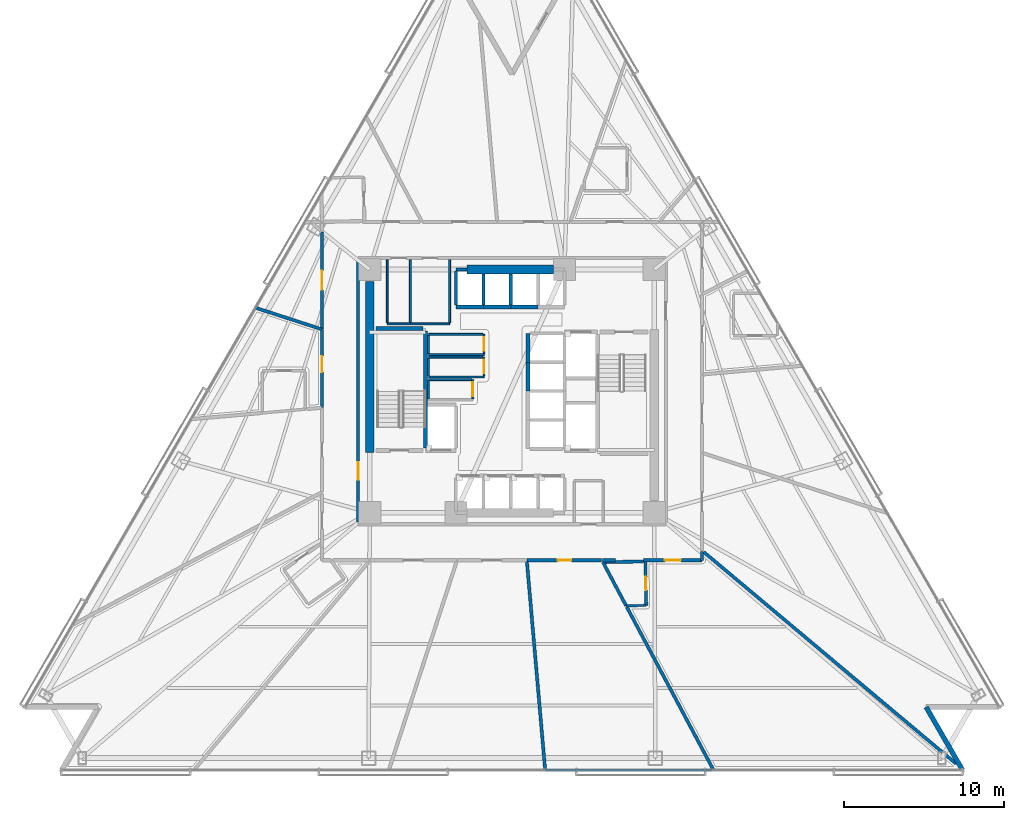
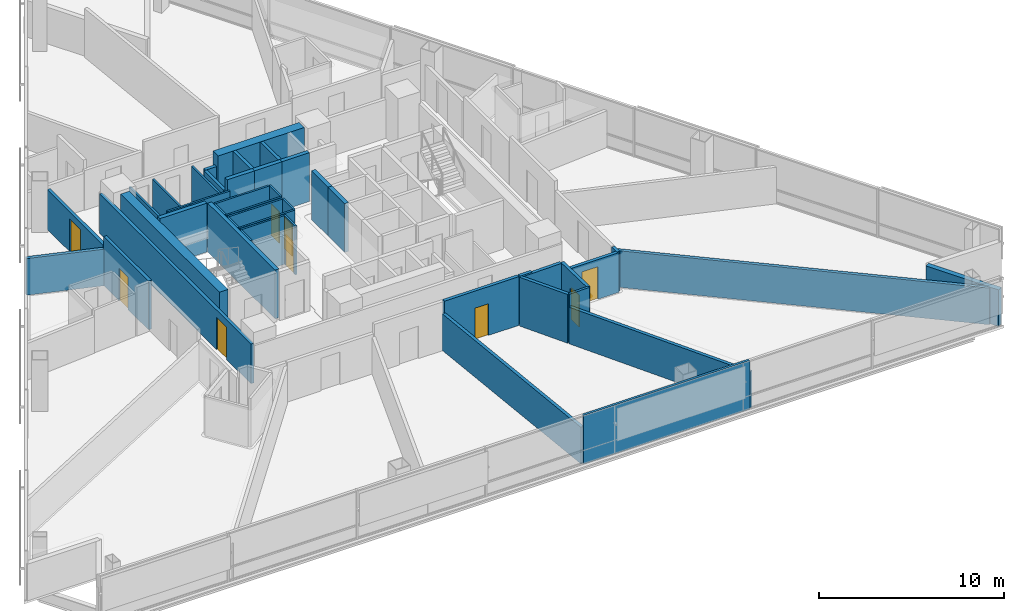
# One storey, part 8 of 18: 46 walls, 9 doors, 9 openings.
"""IFC4 building model written with IfcOpenShell, lengths in metres."""

from ifc_helpers import new_model, si_unit, direction, frame, frame_2d, origin, place, context, subcontext, project, spatial, rectangle, extrude, material, layer, layer_set, type_object, element, fill, save


model = new_model("IFC4")

# Units and contexts
model_context = context("Model", 3, precision=1e-05, world=origin(), true_north=direction((0.0, 1.0)))
body_context = subcontext(model_context, "Body", "Model", "MODEL_VIEW")
ifc_project = project(units=[si_unit("LENGTHUNIT", "METRE"), si_unit("AREAUNIT", "SQUARE_METRE"), si_unit("VOLUMEUNIT", "CUBIC_METRE"), si_unit("PLANEANGLEUNIT", "RADIAN"), si_unit("MASSUNIT", "GRAM", prefix="KILO")], contexts=[model_context])

# Site, building, storey
site_placement = place(None, origin())
site = spatial("IfcSite", under=ifc_project, at=site_placement, CompositionType="ELEMENT")
building_placement = place(site_placement, origin())
building = spatial("IfcBuilding", under=site, at=building_placement, Name="Tharavind Bronze Gate", CompositionType="ELEMENT")
storey_placement = place(building_placement, frame((0.0, 0.0, 38.64990234375)))
storey = spatial("IfcBuildingStorey", under=building, at=storey_placement, Name="L08", CompositionType="ELEMENT", Elevation=38.64990234375)

# Wall
ifc_material_1 = material(Name="Concrete C40/50", Category="concrete")
ifc_layer_1 = layer(ifc_material_1, 0.300048828125)
ifc_layer_set_1 = layer_set([ifc_layer_1], Name="Concrete C40/50")
wall_type_1 = type_object("IfcWallType", Name="EXTERIOR SPANDREL WALL 300", PredefinedType="STANDARD", material=ifc_layer_set_1)
wall_1_placement = place(storey_placement, frame((28.17578125, -23.699951171875, 0.0), z_axis=(0.0, 0.0, 1.0), x_axis=(-0.500014431597, 0.866017071537, 0.0)))
element("IfcWall", 1, at=wall_1_placement, inside=storey, type_object=wall_type_1, Name="L08 notch cheek wall 3A", PredefinedType="STANDARD", context=body_context, shape_type="SweptSolid", body=[
    extrude(rectangle(XDim=4.559814453125, YDim=0.300048828125, at=frame_2d((2.27978515625, 0.0))), origin(), (0.0, 0.0, 1.0), 2.420166015625),
])

# Wall, opening, door
ifc_material_2 = material(Name="Aerated Concrete Block", Category="concrete")
ifc_layer_2 = layer(ifc_material_2, 0.199951171875)
ifc_layer_set_2 = layer_set([ifc_layer_2], Name="Aerated Concrete Block")
wall_type_2 = type_object("IfcWallType", Name="FIRE RATED PARTITION 200", PredefinedType="PARTITIONING", material=ifc_layer_set_2)
wall_2_placement = place(storey_placement, frame((-9.6201171875, 8.199951171875, 0.0), z_axis=(0.0, 0.0, 1.0), x_axis=(0.0, -1.0, 0.0)))
wall_2 = element("IfcWall", 2, at=wall_2_placement, inside=storey, type_object=wall_type_2, Name="L08 west core corridor wall", PredefinedType="PARTITIONING", context=body_context, shape_type="SweptSolid", body=[
    extrude(rectangle(XDim=16.39990234375, YDim=0.199951171875, at=frame_2d((8.199951171875, 0.0))), origin(), (0.0, 0.0, 1.0), 2.6201171875),
])
opening_1_placement = place(wall_2_placement, frame((12.64990234375, 0.0, 0.0)))
opening_1 = element("IfcOpeningElement", 3, at=opening_1_placement, cuts=wall_2, Name="Opening ID01", PredefinedType="OPENING", context=body_context, shape_type="SweptSolid", body=[
    extrude(rectangle(XDim=1.10009765625, YDim=2.14990234375, at=frame_2d((0.550048828125, 1.074951171875))), frame((0.0, 0.11009765625, 0.0), z_axis=(0.0, -1.0, 0.0), x_axis=(1.0, 0.0, 0.0)), (0.0, 0.0, 1.0), 0.219951171875),
])
ifc_material_3 = material(Name="Fire-Rated Steel", Category="steel")
door_type_1 = type_object("IfcDoorType", Name="STAIR CORE FIRE DOOR 1100X2150", OperationType="SINGLE_SWING_LEFT", PredefinedType="DOOR", material=ifc_material_3)
door_1_placement = place(opening_1_placement, frame((1.10009765625, 0.0, 0.0), z_axis=(0.0, 0.0, 1.0), x_axis=(-1.0, 0.0, 0.0)))
door_1 = element("IfcDoor", 4, at=door_1_placement, inside=storey, type_object=door_type_1, Name="L08 south west stair lobby fire door", OperationType="SINGLE_SWING_LEFT", OverallHeight=2.14990234375, OverallWidth=1.10009765625, PredefinedType="DOOR", context=body_context, shape_type="SweptSolid", body=[
    extrude(rectangle(XDim=1.10009765625, YDim=2.14990234375, at=frame_2d((0.550048828125, 1.074951171875))), frame((0.0, 0.02490234375, 0.0), z_axis=(0.0, -1.0, 0.0), x_axis=(1.0, 0.0, 0.0)), (0.0, 0.0, 1.0), 0.050048828125),
])
fill(opening_1, door_1)

wall_3_placement = place(storey_placement, frame((8.3388671875, -10.648681640625, 0.0), z_axis=(0.0, 0.0, 1.0), x_axis=(0.019353504647, -0.999812703389, 0.0)))
wall_3 = element("IfcWall", 5, at=wall_3_placement, inside=storey, type_object=wall_type_2, Name="L08 En-Suite Bathroom partition", PredefinedType="PARTITIONING", context=body_context, shape_type="SweptSolid", body=[
    extrude(rectangle(XDim=2.75, YDim=0.199951171875, at=frame_2d((1.375, 0.0))), origin(), (0.0, 0.0, 1.0), 3.22509765625),
])
opening_2_placement = place(wall_3_placement, frame((0.949951171875, 0.0, 0.0)))
opening_2 = element("IfcOpeningElement", 6, at=opening_2_placement, cuts=wall_3, Name="Opening ID06", PredefinedType="OPENING", context=body_context, shape_type="SweptSolid", body=[
    extrude(rectangle(XDim=0.85009765625, YDim=2.10009765625, at=frame_2d((0.425048828125, 1.050048828125))), frame((0.0, 0.11009765625, 0.0), z_axis=(0.0, -1.0, 0.0), x_axis=(1.0, 0.0, 0.0)), (0.0, 0.0, 1.0), 0.219951171875),
])
ifc_material_4 = material(Name="Moisture-Resistant Timber", Category="wood")
door_type_2 = type_object("IfcDoorType", Name="BATHROOM PRIVACY DOOR 850X2100", OperationType="SINGLE_SWING_RIGHT", PredefinedType="DOOR", material=ifc_material_4)
door_2_placement = place(opening_2_placement, origin())
door_2 = element("IfcDoor", 7, at=door_2_placement, inside=storey, type_object=door_type_2, Name="L08 En-Suite Bathroom door", OperationType="SINGLE_SWING_RIGHT", OverallHeight=2.10009765625, OverallWidth=0.85009765625, PredefinedType="DOOR", context=body_context, shape_type="SweptSolid", body=[
    extrude(rectangle(XDim=0.85009765625, YDim=2.10009765625, at=frame_2d((0.425048828125, 1.050048828125))), frame((0.0, 0.02490234375, 0.0), z_axis=(0.0, -1.0, 0.0), x_axis=(1.0, 0.0, 0.0)), (0.0, 0.0, 1.0), 0.050048828125),
])
fill(opening_2, door_2)

# Walls
wall_4_placement = place(storey_placement, frame((7.13671875, -13.422607421875, 0.0), z_axis=(0.0, 0.0, 1.0), x_axis=(-0.46943307166, 0.882968057877, 0.0)))
element("IfcWall", 8, at=wall_4_placement, inside=storey, type_object=wall_type_2, Name="L08 En-Suite Bathroom partition", PredefinedType="PARTITIONING", context=body_context, shape_type="SweptSolid", body=[
    extrude(rectangle(XDim=3.08349609375, YDim=0.199951171875, at=frame_2d((1.541748046875, 0.0))), origin(), (0.0, 0.0, 1.0), 3.22509765625),
])
wall_5_placement = place(storey_placement, frame((5.806884765625, -10.69775390625, 0.0), z_axis=(0.0, 0.0, 1.0), x_axis=(0.999811590966, 0.019410887945, 0.0)))
element("IfcWall", 9, at=wall_5_placement, inside=storey, type_object=wall_type_2, Name="L08 En-Suite Bathroom partition", PredefinedType="PARTITIONING", context=body_context, shape_type="SweptSolid", body=[
    extrude(rectangle(XDim=2.427490234375, YDim=0.199951171875, at=frame_2d((1.2138671875, 0.0))), origin(), (0.0, 0.0, 1.0), 3.22509765625),
])
wall_6_placement = place(storey_placement, frame((2.071533203125, -23.67724609375, 0.0), z_axis=(0.0, 0.0, 1.0), x_axis=(-0.087161179376, 0.996194222433, 0.0)))
element("IfcWall", 10, at=wall_6_placement, inside=storey, type_object=wall_type_2, Name="L08 Public Restrooms Block partition", PredefinedType="PARTITIONING", context=body_context, shape_type="SweptSolid", body=[
    extrude(rectangle(XDim=13.1201171875, YDim=0.199951171875, at=frame_2d((6.56005859375, 0.0))), origin(), (0.0, 0.0, 1.0), 2.420166015625),
])

# Wall, opening, door
wall_7_placement = place(storey_placement, frame((0.952880859375, -10.580078125, 0.0), z_axis=(0.0, 0.0, 1.0), x_axis=(1.0, 0.0, 0.0)))
wall_7 = element("IfcWall", 11, at=wall_7_placement, inside=storey, type_object=wall_type_2, Name="L08 Public Restrooms Block partition", PredefinedType="PARTITIONING", context=body_context, shape_type="SweptSolid", body=[
    extrude(rectangle(XDim=4.65771484375, YDim=0.199951171875, at=frame_2d((2.328857421875, 0.0))), origin(), (0.0, 0.0, 1.0), 3.22509765625),
])
opening_3_placement = place(wall_7_placement, frame((1.904052734375, 0.0, 0.0)))
opening_3 = element("IfcOpeningElement", 12, at=opening_3_placement, cuts=wall_7, Name="Opening ID06", PredefinedType="OPENING", context=body_context, shape_type="SweptSolid", body=[
    extrude(rectangle(XDim=0.85009765625, YDim=2.10009765625, at=frame_2d((0.425048828125, 1.050048828125))), frame((0.0, 0.11009765625, 0.0), z_axis=(0.0, -1.0, 0.0), x_axis=(1.0, 0.0, 0.0)), (0.0, 0.0, 1.0), 0.219951171875),
])
door_3_placement = place(opening_3_placement, origin())
door_3 = element("IfcDoor", 13, at=door_3_placement, inside=storey, type_object=door_type_2, Name="L08 Public Restrooms Block door", OperationType="SINGLE_SWING_RIGHT", OverallHeight=2.10009765625, OverallWidth=0.85009765625, PredefinedType="DOOR", context=body_context, shape_type="SweptSolid", body=[
    extrude(rectangle(XDim=0.85009765625, YDim=2.10009765625, at=frame_2d((0.425048828125, 1.050048828125))), frame((0.0, 0.02490234375, 0.0), z_axis=(0.0, -1.0, 0.0), x_axis=(1.0, 0.0, 0.0)), (0.0, 0.0, 1.0), 0.050048828125),
])
fill(opening_3, door_3)

# Wall
wall_8_placement = place(storey_placement, frame((7.178955078125, -13.501708984375, 0.0), z_axis=(0.0, 0.0, 1.0), x_axis=(0.469478708188, -0.882943793544, 0.0)))
element("IfcWall", 14, at=wall_8_placement, inside=storey, type_object=wall_type_2, Name="L08 Public Restrooms Block partition", PredefinedType="PARTITIONING", context=body_context, shape_type="SweptSolid", body=[
    extrude(rectangle(XDim=11.55029296875, YDim=0.199951171875, at=frame_2d((5.775146484375, 0.0))), origin(), (0.0, 0.0, 1.0), 2.420166015625),
])

# Wall, opening, door
wall_9_placement = place(storey_placement, frame((-11.8798828125, 9.956787109375, 0.0), z_axis=(0.0, 0.0, 1.0), x_axis=(0.0, -1.0, 0.0)))
wall_9 = element("IfcWall", 15, at=wall_9_placement, inside=storey, type_object=wall_type_2, Name="L08 Hotel Guest Lounge partition", PredefinedType="PARTITIONING", context=body_context, shape_type="SweptSolid", body=[
    extrude(rectangle(XDim=6.062255859375, YDim=0.199951171875, at=frame_2d((3.03125, 0.0))), origin(), (0.0, 0.0, 1.0), 2.6201171875),
])
opening_4_placement = place(wall_9_placement, frame((2.430908203125, 0.0, 0.0)))
opening_4 = element("IfcOpeningElement", 16, at=opening_4_placement, cuts=wall_9, Name="Opening ID05", PredefinedType="OPENING", context=body_context, shape_type="SweptSolid", body=[
    extrude(rectangle(XDim=1.199951171875, YDim=2.14990234375, at=frame_2d((0.60009765625, 1.074951171875))), frame((0.0, 0.11009765625, 0.0), z_axis=(0.0, -1.0, 0.0), x_axis=(1.0, 0.0, 0.0)), (0.0, 0.0, 1.0), 0.219951171875),
])
ifc_material_5 = material(Name="Acoustic Laminated Glass", Category="glass")
door_type_3 = type_object("IfcDoorType", Name="MEETING ROOM GLAZED DOOR 1200X2150", OperationType="SINGLE_SWING_LEFT", PredefinedType="DOOR", material=ifc_material_5)
door_4_placement = place(opening_4_placement, origin())
door_4 = element("IfcDoor", 17, at=door_4_placement, inside=storey, type_object=door_type_3, Name="L08 Hotel Guest Lounge door", OperationType="SINGLE_SWING_LEFT", OverallHeight=2.14990234375, OverallWidth=1.199951171875, PredefinedType="DOOR", context=body_context, shape_type="SweptSolid", body=[
    extrude(rectangle(XDim=1.199951171875, YDim=2.14990234375, at=frame_2d((0.60009765625, 1.074951171875))), frame((0.0, 0.02490234375, 0.0), z_axis=(0.0, -1.0, 0.0), x_axis=(1.0, 0.0, 0.0)), (0.0, 0.0, 1.0), 0.050048828125),
])
fill(opening_4, door_4)

# Wall
wall_10_placement = place(storey_placement, frame((-11.91259765625, 3.87060546875, 0.0), z_axis=(0.0, 0.0, 1.0), x_axis=(-0.951056374556, 0.309017430603, 0.0)))
element("IfcWall", 18, at=wall_10_placement, inside=storey, type_object=wall_type_2, Name="L08 Hotel Guest Lounge partition", PredefinedType="PARTITIONING", context=body_context, shape_type="SweptSolid", body=[
    extrude(rectangle(XDim=4.343017578125, YDim=0.199951171875, at=frame_2d((2.17138671875, 0.0))), origin(), (0.0, 0.0, 1.0), 2.420166015625),
])

# Wall, opening, door
wall_11_placement = place(storey_placement, frame((-11.8798828125, 3.841796875, 0.0), z_axis=(0.0, 0.0, 1.0), x_axis=(0.0, -1.0, 0.0)))
wall_11 = element("IfcWall", 19, at=wall_11_placement, inside=storey, type_object=wall_type_2, Name="L08 Hotel Deluxe Room partition", PredefinedType="PARTITIONING", context=body_context, shape_type="SweptSolid", body=[
    extrude(rectangle(XDim=4.8583984375, YDim=0.199951171875, at=frame_2d((2.42919921875, 0.0))), origin(), (0.0, 0.0, 1.0), 3.22509765625),
])
opening_5_placement = place(wall_11_placement, frame((1.64892578125, 0.0, 0.0)))
opening_5 = element("IfcOpeningElement", 20, at=opening_5_placement, cuts=wall_11, Name="Opening ID03", PredefinedType="OPENING", context=body_context, shape_type="SweptSolid", body=[
    extrude(rectangle(XDim=1.0, YDim=2.14990234375, at=frame_2d((0.5, 1.074951171875))), frame((0.0, 0.11009765625, 0.0), z_axis=(0.0, -1.0, 0.0), x_axis=(1.0, 0.0, 0.0)), (0.0, 0.0, 1.0), 0.219951171875),
])
ifc_material_6 = material(Name="Solid Timber Veneer", Category="wood")
door_type_4 = type_object("IfcDoorType", Name="HOTEL SUITE ENTRANCE DOOR 1000X2150", OperationType="SINGLE_SWING_LEFT", PredefinedType="DOOR", material=ifc_material_6)
door_5_placement = place(opening_5_placement, origin())
door_5 = element("IfcDoor", 21, at=door_5_placement, inside=storey, type_object=door_type_4, Name="L08 Hotel Deluxe Room door", OperationType="SINGLE_SWING_LEFT", OverallHeight=2.14990234375, OverallWidth=1.0, PredefinedType="DOOR", context=body_context, shape_type="SweptSolid", body=[
    extrude(rectangle(XDim=1.0, YDim=2.14990234375, at=frame_2d((0.5, 1.074951171875))), frame((0.0, 0.02490234375, 0.0), z_axis=(0.0, -1.0, 0.0), x_axis=(1.0, 0.0, 0.0)), (0.0, 0.0, 1.0), 0.050048828125),
])
fill(opening_5, door_5)

# Walls
wall_12_placement = place(storey_placement, frame((11.8798828125, -10.579345703125, 0.0), z_axis=(0.0, 0.0, 1.0), x_axis=(0.0, 1.0, 0.0)))
element("IfcWall", 22, at=wall_12_placement, inside=storey, type_object=wall_type_2, Name="L08 Deluxe Hotel Suite partition", PredefinedType="PARTITIONING", context=body_context, shape_type="SweptSolid", body=[
    extrude(rectangle(XDim=0.55712890625, YDim=0.199951171875, at=frame_2d((0.278564453125, 0.0))), origin(), (0.0, 0.0, 1.0), 2.6201171875),
])
wall_13_placement = place(storey_placement, frame((11.985107421875, -10.056640625, 0.0), z_axis=(0.0, 0.0, 1.0), x_axis=(0.766043557541, -0.642788665076, 0.0)))
element("IfcWall", 23, at=wall_13_placement, inside=storey, type_object=wall_type_2, Name="L08 Deluxe Hotel Suite partition", PredefinedType="PARTITIONING", context=body_context, shape_type="SweptSolid", body=[
    extrude(rectangle(XDim=20.59814453125, YDim=0.199951171875, at=frame_2d((10.299072265625, 0.0))), origin(), (0.0, 0.0, 1.0), 2.420166015625),
])
wall_14_placement = place(storey_placement, frame((5.6669921875, -10.580078125, 0.0), z_axis=(0.0, 0.0, 1.0), x_axis=(1.0, 0.0, 0.0)))
element("IfcWall", 24, at=wall_14_placement, inside=storey, type_object=wall_type_2, Name="L08 Deluxe Hotel Suite partition", PredefinedType="PARTITIONING", context=body_context, shape_type="SweptSolid", body=[
    extrude(rectangle(XDim=0.793212890625, YDim=0.199951171875, at=frame_2d((0.396484375, 0.0))), origin(), (0.0, 0.0, 1.0), 3.22509765625),
])

# Wall, opening, door
wall_15_placement = place(storey_placement, frame((8.232421875, -10.580078125, 0.0), z_axis=(0.0, 0.0, 1.0), x_axis=(1.0, 0.0, 0.0)))
wall_15 = element("IfcWall", 25, at=wall_15_placement, inside=storey, type_object=wall_type_2, Name="L08 Deluxe Hotel Suite partition", PredefinedType="PARTITIONING", context=body_context, shape_type="SweptSolid", body=[
    extrude(rectangle(XDim=3.64697265625, YDim=0.199951171875, at=frame_2d((1.823486328125, 0.0))), origin(), (0.0, 0.0, 1.0), 2.6201171875),
])
opening_6_placement = place(wall_15_placement, frame((1.323974609375, 0.0, 0.0)))
opening_6 = element("IfcOpeningElement", 26, at=opening_6_placement, cuts=wall_15, Name="Opening ID03", PredefinedType="OPENING", context=body_context, shape_type="SweptSolid", body=[
    extrude(rectangle(XDim=1.0, YDim=2.14990234375, at=frame_2d((0.5, 1.074951171875))), frame((0.0, 0.11009765625, 0.0), z_axis=(0.0, -1.0, 0.0), x_axis=(1.0, 0.0, 0.0)), (0.0, 0.0, 1.0), 0.219951171875),
])
door_6_placement = place(opening_6_placement, origin())
door_6 = element("IfcDoor", 27, at=door_6_placement, inside=storey, type_object=door_type_4, Name="L08 Deluxe Hotel Suite door", OperationType="SINGLE_SWING_LEFT", OverallHeight=2.14990234375, OverallWidth=1.0, PredefinedType="DOOR", context=body_context, shape_type="SweptSolid", body=[
    extrude(rectangle(XDim=1.0, YDim=2.14990234375, at=frame_2d((0.5, 1.074951171875))), frame((0.0, 0.02490234375, 0.0), z_axis=(0.0, -1.0, 0.0), x_axis=(1.0, 0.0, 0.0)), (0.0, 0.0, 1.0), 0.050048828125),
])
fill(opening_6, door_6)

# Wall
ifc_material_7 = material(Name="Metal Stud Gypsum Partition", Category="gypsum")
ifc_layer_3 = layer(ifc_material_7, 0.1201171875)
ifc_layer_set_3 = layer_set([ifc_layer_3], Name="Metal Stud Gypsum Partition")
wall_type_3 = type_object("IfcWallType", Name="INTERIOR PARTITION WALL 120", PredefinedType="PARTITIONING", material=ifc_layer_set_3)
wall_16_placement = place(storey_placement, frame((-5.219970703125, 2.280029296875, 0.0), z_axis=(0.0, 0.0, 1.0), x_axis=(1.0, 0.0, 0.0)))
element("IfcWall", 28, at=wall_16_placement, inside=storey, type_object=wall_type_3, Name="L08 Housekeeping Linen Store partition 1", PredefinedType="PARTITIONING", context=body_context, shape_type="SweptSolid", body=[
    extrude(rectangle(XDim=3.469970703125, YDim=0.1201171875, at=frame_2d((1.73486328125, 0.0))), origin(), (0.0, 0.0, 1.0), 3.22509765625),
])

# Wall, opening, door
wall_17_placement = place(storey_placement, frame((-1.75, 2.344970703125, 0.0), z_axis=(0.0, 0.0, 1.0), x_axis=(0.0, 1.0, 0.0)))
wall_17 = element("IfcWall", 29, at=wall_17_placement, inside=storey, type_object=wall_type_3, Name="L08 Housekeeping Linen Store partition 2", PredefinedType="PARTITIONING", context=body_context, shape_type="SweptSolid", body=[
    extrude(rectangle(XDim=1.205078125, YDim=0.1201171875, at=frame_2d((0.6025390625, 0.0))), origin(), (0.0, 0.0, 1.0), 3.22509765625),
])
opening_7_placement = place(wall_17_placement, frame((0.177001953125, 0.0, 0.0)))
opening_7 = element("IfcOpeningElement", 30, at=opening_7_placement, cuts=wall_17, Name="Opening ID06", PredefinedType="OPENING", context=body_context, shape_type="SweptSolid", body=[
    extrude(rectangle(XDim=0.85009765625, YDim=2.10009765625, at=frame_2d((0.425048828125, 1.050048828125))), frame((0.0, 0.07005859375, 0.0), z_axis=(0.0, -1.0, 0.0), x_axis=(1.0, 0.0, 0.0)), (0.0, 0.0, 1.0), 0.1401171875),
])
door_7_placement = place(opening_7_placement, frame((0.85009765625, 0.0, 0.0), z_axis=(0.0, 0.0, 1.0), x_axis=(-1.0, 0.0, 0.0)))
door_7 = element("IfcDoor", 31, at=door_7_placement, inside=storey, type_object=door_type_2, Name="L08 Housekeeping Linen Store door", OperationType="SINGLE_SWING_RIGHT", OverallHeight=2.10009765625, OverallWidth=0.85009765625, PredefinedType="DOOR", context=body_context, shape_type="SweptSolid", body=[
    extrude(rectangle(XDim=0.85009765625, YDim=2.10009765625, at=frame_2d((0.425048828125, 1.050048828125))), frame((0.0, 0.02490234375, 0.0), z_axis=(0.0, -1.0, 0.0), x_axis=(1.0, 0.0, 0.0)), (0.0, 0.0, 1.0), 0.050048828125),
])
fill(opening_7, door_7)

# Walls
wall_18_placement = place(storey_placement, frame((-1.81494140625, 3.550048828125, 0.0), z_axis=(0.0, 0.0, 1.0), x_axis=(-1.0, 0.0, 0.0)))
element("IfcWall", 32, at=wall_18_placement, inside=storey, type_object=wall_type_3, Name="L08 Housekeeping Linen Store partition 3", PredefinedType="PARTITIONING", context=body_context, shape_type="SweptSolid", body=[
    extrude(rectangle(XDim=3.405029296875, YDim=0.1201171875, at=frame_2d((1.70263671875, 0.0))), origin(), (0.0, 0.0, 1.0), 3.22509765625),
])
wall_19_placement = place(storey_placement, frame((-5.219970703125, 3.485107421875, 0.0), z_axis=(0.0, 0.0, 1.0), x_axis=(0.0, -1.0, 0.0)))
element("IfcWall", 33, at=wall_19_placement, inside=storey, type_object=wall_type_3, Name="L08 Housekeeping Linen Store partition 4", PredefinedType="PARTITIONING", context=body_context, shape_type="SweptSolid", body=[
    extrude(rectangle(XDim=1.14013671875, YDim=0.1201171875, at=frame_2d((0.570068359375, 0.0))), origin(), (0.0, 0.0, 1.0), 3.22509765625),
])
wall_20_placement = place(storey_placement, frame((-5.219970703125, 0.8798828125, 0.0), z_axis=(0.0, 0.0, 1.0), x_axis=(1.0, 0.0, 0.0)))
element("IfcWall", 34, at=wall_20_placement, inside=storey, type_object=wall_type_3, Name="L08 Comms Data Room partition 1", PredefinedType="PARTITIONING", context=body_context, shape_type="SweptSolid", body=[
    extrude(rectangle(XDim=3.469970703125, YDim=0.1201171875, at=frame_2d((1.73486328125, 0.0))), origin(), (0.0, 0.0, 1.0), 3.22509765625),
])

# Wall, opening, door
wall_21_placement = place(storey_placement, frame((-1.75, 0.945068359375, 0.0), z_axis=(0.0, 0.0, 1.0), x_axis=(0.0, 1.0, 0.0)))
wall_21 = element("IfcWall", 35, at=wall_21_placement, inside=storey, type_object=wall_type_3, Name="L08 Comms Data Room partition 2", PredefinedType="PARTITIONING", context=body_context, shape_type="SweptSolid", body=[
    extrude(rectangle(XDim=1.175048828125, YDim=0.1201171875, at=frame_2d((0.58740234375, 0.0))), origin(), (0.0, 0.0, 1.0), 3.22509765625),
])
opening_8_placement = place(wall_21_placement, frame((0.1630859375, 0.0, 0.0)))
opening_8 = element("IfcOpeningElement", 36, at=opening_8_placement, cuts=wall_21, Name="Opening ID06", PredefinedType="OPENING", context=body_context, shape_type="SweptSolid", body=[
    extrude(rectangle(XDim=0.85009765625, YDim=2.10009765625, at=frame_2d((0.425048828125, 1.050048828125))), frame((0.0, 0.07005859375, 0.0), z_axis=(0.0, -1.0, 0.0), x_axis=(1.0, 0.0, 0.0)), (0.0, 0.0, 1.0), 0.1401171875),
])
door_8_placement = place(opening_8_placement, frame((0.85009765625, 0.0, 0.0), z_axis=(0.0, 0.0, 1.0), x_axis=(-1.0, 0.0, 0.0)))
door_8 = element("IfcDoor", 37, at=door_8_placement, inside=storey, type_object=door_type_2, Name="L08 Comms Data Room door", OperationType="SINGLE_SWING_RIGHT", OverallHeight=2.10009765625, OverallWidth=0.85009765625, PredefinedType="DOOR", context=body_context, shape_type="SweptSolid", body=[
    extrude(rectangle(XDim=0.85009765625, YDim=2.10009765625, at=frame_2d((0.425048828125, 1.050048828125))), frame((0.0, 0.02490234375, 0.0), z_axis=(0.0, -1.0, 0.0), x_axis=(1.0, 0.0, 0.0)), (0.0, 0.0, 1.0), 0.050048828125),
])
fill(opening_8, door_8)

# Walls
wall_22_placement = place(storey_placement, frame((-1.81494140625, 2.1201171875, 0.0), z_axis=(0.0, 0.0, 1.0), x_axis=(-1.0, 0.0, 0.0)))
element("IfcWall", 38, at=wall_22_placement, inside=storey, type_object=wall_type_3, Name="L08 Comms Data Room partition 3", PredefinedType="PARTITIONING", context=body_context, shape_type="SweptSolid", body=[
    extrude(rectangle(XDim=3.405029296875, YDim=0.1201171875, at=frame_2d((1.70263671875, 0.0))), origin(), (0.0, 0.0, 1.0), 3.22509765625),
])
wall_23_placement = place(storey_placement, frame((-5.219970703125, 2.054931640625, 0.0), z_axis=(0.0, 0.0, 1.0), x_axis=(0.0, -1.0, 0.0)))
element("IfcWall", 39, at=wall_23_placement, inside=storey, type_object=wall_type_3, Name="L08 Comms Data Room partition 4", PredefinedType="PARTITIONING", context=body_context, shape_type="SweptSolid", body=[
    extrude(rectangle(XDim=1.10986328125, YDim=0.1201171875, at=frame_2d((0.554931640625, 0.0))), origin(), (0.0, 0.0, 1.0), 3.22509765625),
])

# Wall, opening, door
wall_24_placement = place(storey_placement, frame((-2.449951171875, -0.485107421875, 0.0), z_axis=(0.0, 0.0, 1.0), x_axis=(0.0, 1.0, 0.0)))
wall_24 = element("IfcWall", 40, at=wall_24_placement, inside=storey, type_object=wall_type_3, Name="L08 Electrical Metering Store partition 2", PredefinedType="PARTITIONING", context=body_context, shape_type="SweptSolid", body=[
    extrude(rectangle(XDim=1.205078125, YDim=0.1201171875, at=frame_2d((0.6025390625, 0.0))), origin(), (0.0, 0.0, 1.0), 3.22509765625),
])
opening_9_placement = place(wall_24_placement, frame((0.177978515625, 0.0, 0.0)))
opening_9 = element("IfcOpeningElement", 41, at=opening_9_placement, cuts=wall_24, Name="Opening ID06", PredefinedType="OPENING", context=body_context, shape_type="SweptSolid", body=[
    extrude(rectangle(XDim=0.85009765625, YDim=2.10009765625, at=frame_2d((0.425048828125, 1.050048828125))), frame((0.0, 0.07005859375, 0.0), z_axis=(0.0, -1.0, 0.0), x_axis=(1.0, 0.0, 0.0)), (0.0, 0.0, 1.0), 0.1401171875),
])
door_9_placement = place(opening_9_placement, frame((0.85009765625, 0.0, 0.0), z_axis=(0.0, 0.0, 1.0), x_axis=(-1.0, 0.0, 0.0)))
door_9 = element("IfcDoor", 42, at=door_9_placement, inside=storey, type_object=door_type_2, Name="L08 Electrical Metering Store door", OperationType="SINGLE_SWING_RIGHT", OverallHeight=2.10009765625, OverallWidth=0.85009765625, PredefinedType="DOOR", context=body_context, shape_type="SweptSolid", body=[
    extrude(rectangle(XDim=0.85009765625, YDim=2.10009765625, at=frame_2d((0.425048828125, 1.050048828125))), frame((0.0, 0.02490234375, 0.0), z_axis=(0.0, -1.0, 0.0), x_axis=(1.0, 0.0, 0.0)), (0.0, 0.0, 1.0), 0.050048828125),
])
fill(opening_9, door_9)

# Walls
wall_25_placement = place(storey_placement, frame((-2.514892578125, 0.719970703125, 0.0), z_axis=(0.0, 0.0, 1.0), x_axis=(-1.0, 0.0, 0.0)))
element("IfcWall", 43, at=wall_25_placement, inside=storey, type_object=wall_type_3, Name="L08 Electrical Metering Store partition 3", PredefinedType="PARTITIONING", context=body_context, shape_type="SweptSolid", body=[
    extrude(rectangle(XDim=2.705078125, YDim=0.1201171875, at=frame_2d((1.3525390625, 0.0))), origin(), (0.0, 0.0, 1.0), 3.22509765625),
])
wall_26_placement = place(storey_placement, frame((-5.219970703125, 0.655029296875, 0.0), z_axis=(0.0, 0.0, 1.0), x_axis=(0.0, -1.0, 0.0)))
element("IfcWall", 44, at=wall_26_placement, inside=storey, type_object=wall_type_3, Name="L08 Electrical Metering Store partition 4", PredefinedType="PARTITIONING", context=body_context, shape_type="SweptSolid", body=[
    extrude(rectangle(XDim=1.14013671875, YDim=0.1201171875, at=frame_2d((0.570068359375, 0.0))), origin(), (0.0, 0.0, 1.0), 3.22509765625),
])
wall_27_placement = place(storey_placement, frame((-7.800048828125, 4.199951171875, 0.0), z_axis=(0.0, 0.0, 1.0), x_axis=(1.0, 0.0, 0.0)))
element("IfcWall", 45, at=wall_27_placement, inside=storey, type_object=wall_type_3, Name="L08 Battery Backup Cupboard partition 1", PredefinedType="PARTITIONING", context=body_context, shape_type="SweptSolid", body=[
    extrude(rectangle(XDim=1.449951171875, YDim=0.1201171875, at=frame_2d((0.72509765625, 0.0))), origin(), (0.0, 0.0, 1.0), 3.22509765625),
])
for number, where, z_axis, x_axis, name in (
    (46, (-6.35009765625, 4.264892578125, 0.0), (0.0, 0.0, 1.0), (0.0, 1.0, 0.0), "L08 Battery Backup Cupboard partition 2"),
    (47, (-7.800048828125, 8.215087890625, 0.0), (0.0, 0.0, 1.0), (0.0, -1.0, 0.0), "L08 Battery Backup Cupboard partition 4"),
):
    element("IfcWall", number, at=place(storey_placement, frame(where, z_axis=z_axis, x_axis=x_axis)), inside=storey, type_object=wall_type_3, Name=name, PredefinedType="PARTITIONING", context=body_context, shape_type="SweptSolid", body=[
        extrude(rectangle(XDim=3.9501953125, YDim=0.1201171875, at=frame_2d((1.97509765625, 0.0))), origin(), (0.0, 0.0, 1.0), 2.420166015625),
    ])
wall_28_placement = place(storey_placement, frame((-6.35009765625, 4.199951171875, 0.0), z_axis=(0.0, 0.0, 1.0), x_axis=(1.0, 0.0, 0.0)))
element("IfcWall", 48, at=wall_28_placement, inside=storey, type_object=wall_type_3, Name="L08 Cleaner Store Room partition 1", PredefinedType="PARTITIONING", context=body_context, shape_type="SweptSolid", body=[
    extrude(rectangle(XDim=2.4501953125, YDim=0.1201171875, at=frame_2d((1.22509765625, 0.0))), origin(), (0.0, 0.0, 1.0), 3.22509765625),
])
wall_29_placement = place(storey_placement, frame((-3.89990234375, 4.264892578125, 0.0), z_axis=(0.0, 0.0, 1.0), x_axis=(0.0, 1.0, 0.0)))
element("IfcWall", 49, at=wall_29_placement, inside=storey, type_object=wall_type_3, Name="L08 Cleaner Store Room partition 2", PredefinedType="PARTITIONING", context=body_context, shape_type="SweptSolid", body=[
    extrude(rectangle(XDim=3.9501953125, YDim=0.1201171875, at=frame_2d((1.97509765625, 0.0))), origin(), (0.0, 0.0, 1.0), 2.420166015625),
])
ifc_material_8 = material(Name="Twin Stud Acoustic Gypsum", Category="gypsum")
ifc_layer_4 = layer(ifc_material_8, 0.14990234375)
ifc_layer_set_4 = layer_set([ifc_layer_4], Name="Twin Stud Acoustic Gypsum")
wall_type_4 = type_object("IfcWallType", Name="INTERIOR PARTITION WALL 150", PredefinedType="PARTITIONING", material=ifc_layer_set_4)
wall_30_placement = place(storey_placement, frame((8.39208984375, -13.398193359375, 0.0), z_axis=(0.0, 0.0, 1.0), x_axis=(-0.999810947385, -0.01944400909, 0.0)))
element("IfcWall", 50, at=wall_30_placement, inside=storey, type_object=wall_type_4, Name="L08 En-Suite Bathroom partition", PredefinedType="PARTITIONING", context=body_context, shape_type="SweptSolid", body=[
    extrude(rectangle(XDim=1.255615234375, YDim=0.14990234375, at=frame_2d((0.6279296875, 0.0))), origin(), (0.0, 0.0, 1.0), 3.22509765625),
])
wall_31_placement = place(storey_placement, frame((12.482666015625, -23.699951171875, 0.0), z_axis=(0.0, 0.0, 1.0), x_axis=(-1.0, 0.0, 0.0)))
element("IfcWall", 51, at=wall_31_placement, inside=storey, type_object=wall_type_4, Name="L08 Public Restrooms Block partition", PredefinedType="PARTITIONING", context=body_context, shape_type="SweptSolid", body=[
    extrude(rectangle(XDim=10.38623046875, YDim=0.14990234375, at=frame_2d((5.193115234375, 0.0))), origin(), (0.0, 0.0, 1.0), 3.22509765625),
])
ifc_material_9 = material(Name="Concrete C50/60", Category="concrete")
ifc_layer_5 = layer(ifc_material_9, 0.25)
ifc_layer_set_5 = layer_set([ifc_layer_5], Name="Concrete C50/60")
wall_type_5 = type_object("IfcWallType", Name="RC CORE SHEAR WALL 250", PredefinedType="SHEAR", material=ifc_layer_set_5)
wall_32_placement = place(storey_placement, frame((-5.39990234375, -3.550048828125, 0.0), z_axis=(0.0, 0.0, 1.0), x_axis=(0.0, 1.0, 0.0)))
element("IfcWall", 52, at=wall_32_placement, inside=storey, type_object=wall_type_5, Name="L08 ST1 shaft east wall", PredefinedType="SHEAR", context=body_context, shape_type="SweptSolid", body=[
    extrude(rectangle(XDim=7.300048828125, YDim=0.25, at=frame_2d((3.64990234375, 0.0))), origin(), (0.0, 0.0, 1.0), 3.22509765625),
])
wall_33_placement = place(storey_placement, frame((-8.5, 3.89990234375, 0.0), z_axis=(0.0, 0.0, 1.0), x_axis=(1.0, 0.0, 0.0)))
element("IfcWall", 53, at=wall_33_placement, inside=storey, type_object=wall_type_5, Name="L08 ST1 shaft north wall", PredefinedType="SHEAR", context=body_context, shape_type="SweptSolid", body=[
    extrude(rectangle(XDim=2.949951171875, YDim=0.25, at=frame_2d((1.47509765625, 0.0))), origin(), (0.0, 0.0, 1.0), 3.22509765625),
])
wall_34_placement = place(storey_placement, frame((-3.5, 5.25, 0.0), z_axis=(0.0, 0.0, 1.0), x_axis=(1.0, 0.0, 0.0)))
element("IfcWall", 54, at=wall_34_placement, inside=storey, type_object=wall_type_5, Name="L08 lift PL5 shaft front wall", PredefinedType="SHEAR", context=body_context, shape_type="SweptSolid", body=[
    extrude(rectangle(XDim=1.71240234375, YDim=0.25, at=frame_2d((0.856201171875, 0.0))), origin(), (0.0, 0.0, 1.0), 3.22509765625),
])
wall_35_placement = place(storey_placement, frame((-1.78759765625, 5.25, 0.0), z_axis=(0.0, 0.0, 1.0), x_axis=(1.0, 0.0, 0.0)))
element("IfcWall", 55, at=wall_35_placement, inside=storey, type_object=wall_type_5, Name="L08 lift PL6 shaft front wall", PredefinedType="SHEAR", context=body_context, shape_type="SweptSolid", body=[
    extrude(rectangle(XDim=1.712646484375, YDim=0.25, at=frame_2d((0.8564453125, 0.0))), origin(), (0.0, 0.0, 1.0), 3.22509765625),
])
wall_36_placement = place(storey_placement, frame((-0.074951171875, 5.25, 0.0), z_axis=(0.0, 0.0, 1.0), x_axis=(1.0, 0.0, 0.0)))
element("IfcWall", 56, at=wall_36_placement, inside=storey, type_object=wall_type_5, Name="L08 lift PL7 shaft front wall", PredefinedType="SHEAR", context=body_context, shape_type="SweptSolid", body=[
    extrude(rectangle(XDim=1.71240234375, YDim=0.25, at=frame_2d((0.856201171875, 0.0))), origin(), (0.0, 0.0, 1.0), 3.22509765625),
])
for number, where, z_axis, x_axis, name in (
    (57, (1.0, 0.0, 0.0), (0.0, 0.0, 1.0), (0.0, 1.0, 0.0), "L08 lift PL11 shaft front wall"),
    (58, (1.0, 1.800048828125, 0.0), (0.0, 0.0, 1.0), (0.0, 1.0, 0.0), "L08 lift PL12 shaft front wall"),
):
    element("IfcWall", number, at=place(storey_placement, frame(where, z_axis=z_axis, x_axis=x_axis)), inside=storey, type_object=wall_type_5, Name=name, PredefinedType="SHEAR", context=body_context, shape_type="SweptSolid", body=[
        extrude(rectangle(XDim=1.800048828125, YDim=0.25, at=frame_2d((0.89990234375, 0.0))), origin(), (0.0, 0.0, 1.0), 3.22509765625),
    ])
ifc_material_10 = material(Name="Concrete C60/75", Category="concrete")
ifc_layer_6 = layer(ifc_material_10, 0.550048828125)
ifc_layer_set_6 = layer_set([ifc_layer_6], Name="Concrete C60/75")
wall_type_6 = type_object("IfcWallType", Name="RC CORE SHEAR WALL 550", PredefinedType="SHEAR", material=ifc_layer_set_6)
wall_37_placement = place(storey_placement, frame((-2.800048828125, 7.60009765625, 0.0), z_axis=(0.0, 0.0, 1.0), x_axis=(1.0, 0.0, 0.0)))
element("IfcWall", 59, at=wall_37_placement, inside=storey, type_object=wall_type_6, Name="L08 north core shear wall", PredefinedType="SHEAR", context=body_context, shape_type="SweptSolid", body=[
    extrude(rectangle(XDim=5.380126953125, YDim=0.550048828125, at=frame_2d((2.68994140625, 0.0))), origin(), (0.0, 0.0, 1.0), 3.22509765625),
])
wall_38_placement = place(storey_placement, frame((-8.89990234375, -3.85009765625, 0.0), z_axis=(0.0, 0.0, 1.0), x_axis=(0.0, 1.0, 0.0)))
element("IfcWall", 60, at=wall_38_placement, inside=storey, type_object=wall_type_6, Name="L08 west core shear wall", PredefinedType="SHEAR", context=body_context, shape_type="SweptSolid", body=[
    extrude(rectangle(XDim=10.7001953125, YDim=0.550048828125, at=frame_2d((5.35009765625, 0.0))), origin(), (0.0, 0.0, 1.0), 3.22509765625),
])
ifc_layer_7 = layer(ifc_material_1, 0.199951171875)
ifc_layer_set_7 = layer_set([ifc_layer_7], Name="Concrete C40/50")
wall_type_7 = type_object("IfcWallType", Name="SHAFT ENCLOSURE WALL 200", PredefinedType="PARTITIONING", material=ifc_layer_set_7)
wall_39_placement = place(storey_placement, frame((-3.5, 7.60009765625, 0.0), z_axis=(0.0, 0.0, 1.0), x_axis=(1.0, 0.0, 0.0)))
element("IfcWall", 61, at=wall_39_placement, inside=storey, type_object=wall_type_7, Name="L08 lift PL5 shaft N enclosure wall", PredefinedType="PARTITIONING", context=body_context, shape_type="SweptSolid", body=[
    extrude(rectangle(XDim=0.699951171875, YDim=0.199951171875, at=frame_2d((0.35009765625, 0.0))), origin(), (0.0, 0.0, 1.0), 2.420166015625),
])
wall_40_placement = place(storey_placement, frame((-3.5, 5.3798828125, 0.0), z_axis=(0.0, 0.0, 1.0), x_axis=(0.0, 1.0, 0.0)))
element("IfcWall", 62, at=wall_40_placement, inside=storey, type_object=wall_type_7, Name="L08 lift PL5 shaft W enclosure wall", PredefinedType="PARTITIONING", context=body_context, shape_type="SweptSolid", body=[
    extrude(rectangle(XDim=2.115234375, YDim=0.199951171875, at=frame_2d((1.0576171875, 0.0))), origin(), (0.0, 0.0, 1.0), 2.420166015625),
])
for number, where, z_axis, x_axis, name in (
    (63, (-1.78759765625, 5.3798828125, 0.0), (0.0, 0.0, 1.0), (0.0, 1.0, 0.0), "L08 lift PL5 shaft E enclosure wall"),
    (64, (-0.074951171875, 5.3798828125, 0.0), (0.0, 0.0, 1.0), (0.0, 1.0, 0.0), "L08 lift PL6 shaft E enclosure wall"),
):
    element("IfcWall", number, at=place(storey_placement, frame(where, z_axis=z_axis, x_axis=x_axis)), inside=storey, type_object=wall_type_7, Name=name, PredefinedType="PARTITIONING", context=body_context, shape_type="SweptSolid", body=[
        extrude(rectangle(XDim=1.940185546875, YDim=0.199951171875, at=frame_2d((0.97021484375, 0.0))), origin(), (0.0, 0.0, 1.0), 3.22509765625),
    ])

save(model, "model.ifc")
